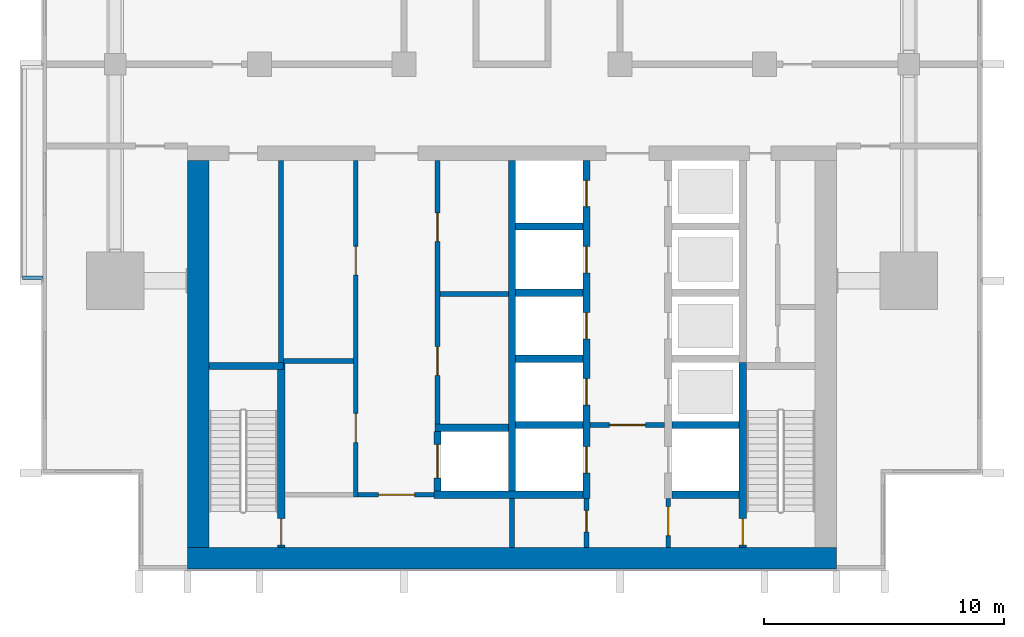
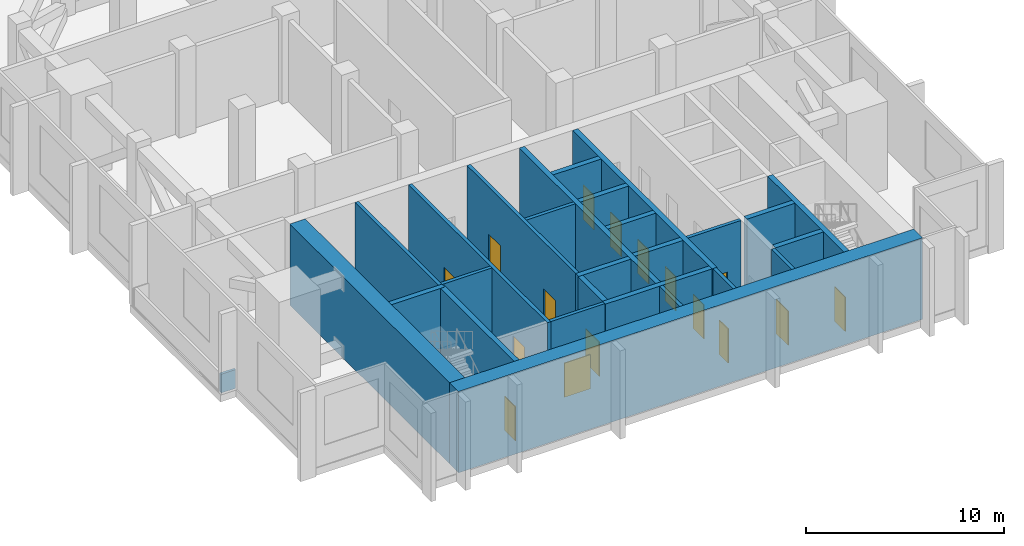
# One storey, part 2 of 11: 27 walls, 16 doors, 16 openings.
"""IFC4 building model written with IfcOpenShell, lengths in metres."""

from ifc_helpers import new_model, si_unit, direction, frame, frame_2d, origin, place, context, subcontext, project, spatial, rectangle, extrude, material, layer, layer_set, type_object, element, fill, save


model = new_model("IFC4")

# Units and contexts
model_context = context("Model", 3, precision=1e-05, world=origin(), true_north=direction((0.0, 1.0)))
body_context = subcontext(model_context, "Body", "Model", "MODEL_VIEW")
ifc_project = project(units=[si_unit("LENGTHUNIT", "METRE"), si_unit("AREAUNIT", "SQUARE_METRE"), si_unit("VOLUMEUNIT", "CUBIC_METRE"), si_unit("PLANEANGLEUNIT", "RADIAN"), si_unit("MASSUNIT", "GRAM", prefix="KILO")], contexts=[model_context])

# Site, building, storey
site_placement = place(None, origin())
site = spatial("IfcSite", under=ifc_project, at=site_placement, CompositionType="ELEMENT")
building_placement = place(site_placement, origin())
building = spatial("IfcBuilding", under=site, at=building_placement, Name="Finial Court Residences", CompositionType="ELEMENT")
storey_placement = place(building_placement, frame((0.0, 0.0, 199.699951171875)))
storey = spatial("IfcBuildingStorey", under=building, at=storey_placement, Name="L50", CompositionType="ELEMENT", Elevation=199.699951171875)

# Walls
ifc_material_1 = material(Name="Concrete C70/85", Category="concrete")
ifc_layer_1 = layer(ifc_material_1, 0.89990234375)
ifc_layer_set_1 = layer_set([ifc_layer_1], Name="Core outer wall 900 Concrete C70/85")
wall_type_1 = type_object("IfcWallType", Name="Core outer wall 900 Concrete C70/85", PredefinedType="SHEAR", material=ifc_layer_set_1)
wall_1_placement = place(storey_placement, frame((-13.050048828125, -24.60009765625, 0.0), z_axis=(0.0, 0.0, 1.0), x_axis=(0.0, 1.0, 0.0)))
element("IfcWall", 1, at=wall_1_placement, inside=storey, type_object=wall_type_1, Name="Core outer wall L50-03", PredefinedType="SHEAR", context=body_context, shape_type="SweptSolid", body=[
    extrude(rectangle(XDim=16.10009765625, YDim=0.89990234375, at=frame_2d((8.050048828125, 0.0))), origin(), (0.0, 0.0, 1.0), 5.0),
])
ifc_layer_2 = layer(ifc_material_1, 0.89990234375)
ifc_layer_set_2 = layer_set([ifc_layer_2], Name="Core south facade wall 900 Concrete C70/85")
wall_type_2 = type_object("IfcWallType", Name="Core south facade wall 900 Concrete C70/85", PredefinedType="SHEAR", material=ifc_layer_set_2)
wall_2_placement = place(storey_placement, frame((-13.5, -25.050048828125, 0.0), z_axis=(0.0, 0.0, 1.0), x_axis=(1.0, 0.0, 0.0)))
element("IfcWall", 2, at=wall_2_placement, inside=storey, type_object=wall_type_2, Name="Core outer wall L50-01", PredefinedType="SHEAR", context=body_context, shape_type="SweptSolid", body=[
    extrude(rectangle(XDim=27.0, YDim=0.89990234375, at=frame_2d((13.5, 0.0))), origin(), (0.0, 0.0, 1.0), 5.0),
])

# Wall, opening, door
ifc_material_2 = material(Name="Fire-rated gypsum board partition")
ifc_layer_3 = layer(ifc_material_2, 0.199951171875)
ifc_layer_set_3 = layer_set([ifc_layer_3], Name="Firefighting lobby wall 200 EI 120")
wall_type_3 = type_object("IfcWallType", Name="Firefighting lobby wall 200 EI 120", PredefinedType="PARTITIONING", material=ifc_layer_set_3)
wall_3_placement = place(storey_placement, frame((6.35009765625, -19.5, 0.0), z_axis=(0.0, 0.0, 1.0), x_axis=(-1.0, 0.0, 0.0)))
wall_3 = element("IfcWall", 3, at=wall_3_placement, inside=storey, type_object=wall_type_3, Name="Core partition L50-07", PredefinedType="PARTITIONING", context=body_context, shape_type="SweptSolid", body=[
    extrude(rectangle(XDim=3.10009765625, YDim=0.199951171875, at=frame_2d((1.550048828125, 0.0))), origin(), (0.0, 0.0, 1.0), 5.0),
])
opening_1_placement = place(wall_3_placement, frame((0.800048828125, 0.0, 0.0)))
opening_1 = element("IfcOpeningElement", 4, at=opening_1_placement, cuts=wall_3, Name="Opening L50-C02", PredefinedType="OPENING", context=body_context, shape_type="SweptSolid", body=[
    extrude(rectangle(XDim=1.5, YDim=2.10009765625, at=frame_2d((0.75, 1.050048828125))), frame((0.0, 0.10986328125, 0.0), z_axis=(0.0, -1.0, 0.0), x_axis=(1.0, 0.0, 0.0)), (0.0, 0.0, 1.0), 0.219970703125),
])
ifc_material_3 = material(Name="Steel fire door", Category="steel")
door_type_1 = type_object("IfcDoorType", Name="Firefighting lobby door 1500 x 2100 EI 90", OperationType="DOUBLE_DOOR_SINGLE_SWING", PredefinedType="DOOR", material=ifc_material_3)
door_1_placement = place(opening_1_placement, origin())
door_1 = element("IfcDoor", 5, at=door_1_placement, inside=storey, type_object=door_type_1, Name="Firefighting lobby door L50-C02", OperationType="DOUBLE_DOOR_SINGLE_SWING", OverallHeight=2.10009765625, OverallWidth=1.5, PredefinedType="DOOR", context=body_context, shape_type="SweptSolid", body=[
    extrude(rectangle(XDim=1.5, YDim=2.10009765625, at=frame_2d((0.75, 1.050048828125))), frame((0.0, 0.02490234375, 0.0), z_axis=(0.0, -1.0, 0.0), x_axis=(1.0, 0.0, 0.0)), (0.0, 0.0, 1.0), 0.050048828125),
])
fill(opening_1, door_1)

wall_4_placement = place(storey_placement, frame((3.10009765625, -24.60009765625, 0.0), z_axis=(0.0, 0.0, 1.0), x_axis=(0.0, 1.0, 0.0)))
wall_4 = element("IfcWall", 6, at=wall_4_placement, inside=storey, type_object=wall_type_3, Name="Core partition L50-27", PredefinedType="PARTITIONING", context=body_context, shape_type="SweptSolid", body=[
    extrude(rectangle(XDim=2.050048828125, YDim=0.199951171875, at=frame_2d((1.02490234375, 0.0))), origin(), (0.0, 0.0, 1.0), 5.0),
])
opening_2_placement = place(wall_4_placement, frame((0.64990234375, 0.0, 0.0)))
opening_2 = element("IfcOpeningElement", 7, at=opening_2_placement, cuts=wall_4, Name="Opening L50-C06", PredefinedType="OPENING", context=body_context, shape_type="SweptSolid", body=[
    extrude(rectangle(XDim=0.89990234375, YDim=2.10009765625, at=frame_2d((0.449951171875, 1.050048828125))), frame((0.0, 0.10986328125, 0.0), z_axis=(0.0, -1.0, 0.0), x_axis=(1.0, 0.0, 0.0)), (0.0, 0.0, 1.0), 0.219970703125),
])
door_type_2 = type_object("IfcDoorType", Name="Riser room door 900 x 2100 EI 90", OperationType="NOTDEFINED", PredefinedType="DOOR", material=ifc_material_3)
door_2_placement = place(opening_2_placement, origin())
door_2 = element("IfcDoor", 8, at=door_2_placement, inside=storey, type_object=door_type_2, Name="Riser room door L50-C06", OperationType="SINGLE_SWING_LEFT", OverallHeight=2.10009765625, OverallWidth=0.89990234375, PredefinedType="DOOR", context=body_context, shape_type="SweptSolid", body=[
    extrude(rectangle(XDim=0.89990234375, YDim=2.10009765625, at=frame_2d((0.449951171875, 1.050048828125))), frame((0.0, 0.02490234375, 0.0), z_axis=(0.0, -1.0, 0.0), x_axis=(1.0, 0.0, 0.0)), (0.0, 0.0, 1.0), 0.050048828125),
])
fill(opening_2, door_2)

wall_5_placement = place(storey_placement, frame((6.5, -22.550048828125, 0.0), z_axis=(0.0, 0.0, 1.0), x_axis=(0.0, -1.0, 0.0)))
wall_5 = element("IfcWall", 9, at=wall_5_placement, inside=storey, type_object=wall_type_3, Name="Core partition L50-29", PredefinedType="PARTITIONING", context=body_context, shape_type="SweptSolid", body=[
    extrude(rectangle(XDim=2.050048828125, YDim=0.199951171875, at=frame_2d((1.02490234375, 0.0))), origin(), (0.0, 0.0, 1.0), 5.0),
])
opening_3_placement = place(wall_5_placement, frame((0.35009765625, 0.0, 0.0)))
opening_3 = element("IfcOpeningElement", 10, at=opening_3_placement, cuts=wall_5, Name="Opening L50-C01", PredefinedType="OPENING", context=body_context, shape_type="SweptSolid", body=[
    extrude(rectangle(XDim=1.199951171875, YDim=2.10009765625, at=frame_2d((0.60009765625, 1.050048828125))), frame((0.0, 0.10986328125, 0.0), z_axis=(0.0, -1.0, 0.0), x_axis=(1.0, 0.0, 0.0)), (0.0, 0.0, 1.0), 0.219970703125),
])
door_type_3 = type_object("IfcDoorType", Name="Firefighting lobby door 1200 x 2100 EI 90", OperationType="NOTDEFINED", PredefinedType="DOOR", material=ifc_material_3)
door_3_placement = place(opening_3_placement, origin())
door_3 = element("IfcDoor", 11, at=door_3_placement, inside=storey, type_object=door_type_3, Name="Firefighting lobby door L50-C01", OperationType="SINGLE_SWING_RIGHT", OverallHeight=2.10009765625, OverallWidth=1.199951171875, PredefinedType="DOOR", context=body_context, shape_type="SweptSolid", body=[
    extrude(rectangle(XDim=1.199951171875, YDim=2.10009765625, at=frame_2d((0.60009765625, 1.050048828125))), frame((0.0, 0.02490234375, 0.0), z_axis=(0.0, -1.0, 0.0), x_axis=(1.0, 0.0, 0.0)), (0.0, 0.0, 1.0), 0.050048828125),
])
fill(opening_3, door_3)

# Walls
ifc_material_4 = material(Name="Concrete C35/45", Category="concrete")
ifc_layer_4 = layer(ifc_material_4, 0.14990234375)
ifc_layer_set_4 = layer_set([ifc_layer_4], Name="Ledge parapet, Concrete C35/45 150")
wall_type_4 = type_object("IfcWallType", Name="Ledge parapet, Concrete C35/45 150", PredefinedType="PARAPET", material=ifc_layer_set_4)
wall_6_placement = place(storey_placement, frame((-19.510009765625, -13.375, 0.0), z_axis=(0.0, 0.0, 1.0), x_axis=(-1.0, 0.0, 0.0)))
element("IfcWall", 12, at=wall_6_placement, inside=storey, type_object=wall_type_4, Name="E-L50-LED3-P2", PredefinedType="PARAPET", context=body_context, shape_type="SweptSolid", body=[
    extrude(rectangle(XDim=0.840087890625, YDim=0.14990234375, at=frame_2d((0.419921875, 0.0))), origin(), (0.0, 0.0, 1.0), 1.150146484375),
])
ifc_layer_5 = layer(ifc_material_1, 0.300048828125)
ifc_layer_set_5 = layer_set([ifc_layer_5], Name="Lift shaft and stair wall 300 Concrete C70/85")
wall_type_5 = type_object("IfcWallType", Name="Lift shaft and stair wall 300 Concrete C70/85", PredefinedType="SHEAR", material=ifc_layer_set_5)
wall_7_placement = place(storey_placement, frame((-3.25, -22.39990234375, 0.0), z_axis=(0.0, 0.0, 1.0), x_axis=(1.0, 0.0, 0.0)))
element("IfcWall", 13, at=wall_7_placement, inside=storey, type_object=wall_type_5, Name="Core wall L50-03", PredefinedType="SHEAR", context=body_context, shape_type="SweptSolid", body=[
    extrude(rectangle(XDim=6.199951171875, YDim=0.300048828125, at=frame_2d((3.10009765625, 0.0))), origin(), (0.0, 0.0, 1.0), 5.0),
])
wall_8_placement = place(storey_placement, frame((6.64990234375, -22.39990234375, 0.0), z_axis=(0.0, 0.0, 1.0), x_axis=(1.0, 0.0, 0.0)))
element("IfcWall", 14, at=wall_8_placement, inside=storey, type_object=wall_type_5, Name="Core wall L50-04", PredefinedType="SHEAR", context=body_context, shape_type="SweptSolid", body=[
    extrude(rectangle(XDim=2.800048828125, YDim=0.300048828125, at=frame_2d((1.39990234375, 0.0))), origin(), (0.0, 0.0, 1.0), 5.0),
])
wall_9_placement = place(storey_placement, frame((-3.199951171875, -19.6201171875, 0.0), z_axis=(0.0, 0.0, 1.0), x_axis=(1.0, 0.0, 0.0)))
element("IfcWall", 15, at=wall_9_placement, inside=storey, type_object=wall_type_5, Name="Core wall L50-05", PredefinedType="SHEAR", context=body_context, shape_type="SweptSolid", body=[
    extrude(rectangle(XDim=3.050048828125, YDim=0.300048828125, at=frame_2d((1.52490234375, 0.0))), origin(), (0.0, 0.0, 1.0), 5.0),
])
for number, where, z_axis, x_axis, name in (
    (16, (0.14990234375, -19.5, 0.0), (0.0, 0.0, 1.0), (1.0, 0.0, 0.0), "Core wall L50-06"),
    (17, (6.64990234375, -19.5, 0.0), (0.0, 0.0, 1.0), (1.0, 0.0, 0.0), "Core wall L50-08"),
):
    element("IfcWall", number, at=place(storey_placement, frame(where, z_axis=z_axis, x_axis=x_axis)), inside=storey, type_object=wall_type_5, Name=name, PredefinedType="SHEAR", context=body_context, shape_type="SweptSolid", body=[
        extrude(rectangle(XDim=2.800048828125, YDim=0.300048828125, at=frame_2d((1.39990234375, 0.0))), origin(), (0.0, 0.0, 1.0), 5.0),
    ])
wall_10_placement = place(storey_placement, frame((-12.60009765625, -17.050048828125, 0.0), z_axis=(0.0, 0.0, 1.0), x_axis=(1.0, 0.0, 0.0)))
element("IfcWall", 18, at=wall_10_placement, inside=storey, type_object=wall_type_5, Name="Core wall L50-09", PredefinedType="SHEAR", context=body_context, shape_type="SweptSolid", body=[
    extrude(rectangle(XDim=3.10009765625, YDim=0.300048828125, at=frame_2d((1.550048828125, 0.0))), origin(), (0.0, 0.0, 1.0), 5.0),
])
for number, where, z_axis, x_axis, name in (
    (19, (0.14990234375, -16.75, 0.0), (0.0, 0.0, 1.0), (1.0, 0.0, 0.0), "Core wall L50-12"),
    (20, (0.14990234375, -14.0, 0.0), (0.0, 0.0, 1.0), (1.0, 0.0, 0.0), "Core wall L50-16"),
    (21, (0.14990234375, -11.25, 0.0), (0.0, 0.0, 1.0), (1.0, 0.0, 0.0), "Core wall L50-18"),
):
    element("IfcWall", number, at=place(storey_placement, frame(where, z_axis=z_axis, x_axis=x_axis)), inside=storey, type_object=wall_type_5, Name=name, PredefinedType="SHEAR", context=body_context, shape_type="SweptSolid", body=[
        extrude(rectangle(XDim=2.800048828125, YDim=0.300048828125, at=frame_2d((1.39990234375, 0.0))), origin(), (0.0, 0.0, 1.0), 5.0),
    ])

# Wall, opening, door
wall_11_placement = place(storey_placement, frame((-9.60009765625, -24.60009765625, 0.0), z_axis=(0.0, 0.0, 1.0), x_axis=(0.0, 1.0, 0.0)))
wall_11 = element("IfcWall", 22, at=wall_11_placement, inside=storey, type_object=wall_type_5, Name="Core wall L50-20", PredefinedType="SHEAR", context=body_context, shape_type="SweptSolid", body=[
    extrude(rectangle(XDim=7.7001953125, YDim=0.300048828125, at=frame_2d((3.85009765625, 0.0))), origin(), (0.0, 0.0, 1.0), 5.0),
])
opening_4_placement = place(wall_11_placement, frame((0.10009765625, 0.0, 0.0)))
opening_4 = element("IfcOpeningElement", 23, at=opening_4_placement, cuts=wall_11, Name="Opening L50-C15", PredefinedType="OPENING", context=body_context, shape_type="SweptSolid", body=[
    extrude(rectangle(XDim=1.10009765625, YDim=2.10009765625, at=frame_2d((0.550048828125, 1.050048828125))), frame((0.0, 0.159912109375, 0.0), z_axis=(0.0, -1.0, 0.0), x_axis=(1.0, 0.0, 0.0)), (0.0, 0.0, 1.0), 0.320068359375),
])
door_type_4 = type_object("IfcDoorType", Name="Stair door 1100 x 2100 EI 90", OperationType="NOTDEFINED", PredefinedType="DOOR", material=ifc_material_3)
door_4_placement = place(opening_4_placement, origin())
door_4 = element("IfcDoor", 24, at=door_4_placement, inside=storey, type_object=door_type_4, Name="Stair door L50-C15", OperationType="SINGLE_SWING_LEFT", OverallHeight=2.10009765625, OverallWidth=1.10009765625, PredefinedType="DOOR", context=body_context, shape_type="SweptSolid", body=[
    extrude(rectangle(XDim=1.10009765625, YDim=2.10009765625, at=frame_2d((0.550048828125, 1.050048828125))), frame((0.0, 0.02490234375, 0.0), z_axis=(0.0, -1.0, 0.0), x_axis=(1.0, 0.0, 0.0)), (0.0, 0.0, 1.0), 0.050048828125),
])
fill(opening_4, door_4)

wall_12_placement = place(storey_placement, frame((-3.10009765625, -22.25, 0.0), z_axis=(0.0, 0.0, 1.0), x_axis=(0.0, 1.0, 0.0)))
wall_12 = element("IfcWall", 25, at=wall_12_placement, inside=storey, type_object=wall_type_5, Name="Core wall L50-23", PredefinedType="SHEAR", context=body_context, shape_type="SweptSolid", body=[
    extrude(rectangle(XDim=2.47998046875, YDim=0.300048828125, at=frame_2d((1.239990234375, 0.0))), origin(), (0.0, 0.0, 1.0), 5.0),
])
opening_5_placement = place(wall_12_placement, frame((0.5400390625, 0.0, 0.0)))
opening_5 = element("IfcOpeningElement", 26, at=opening_5_placement, cuts=wall_12, Name="Opening L50-LD11", PredefinedType="OPENING", context=body_context, shape_type="SweptSolid", body=[
    extrude(rectangle(XDim=1.39990234375, YDim=2.10009765625, at=frame_2d((0.699951171875, 1.050048828125))), frame((0.0, 0.159912109375, 0.0), z_axis=(0.0, -1.0, 0.0), x_axis=(1.0, 0.0, 0.0)), (0.0, 0.0, 1.0), 0.320068359375),
])
ifc_material_5 = material(Name="Stainless steel lift door", Category="steel")
door_type_5 = type_object("IfcDoorType", Name="Lift landing door 1400 x 2100 EI 90", OperationType="DOUBLE_DOOR_SLIDING", PredefinedType="DOOR", material=ifc_material_5)
door_5_placement = place(opening_5_placement, origin())
door_5 = element("IfcDoor", 27, at=door_5_placement, inside=storey, type_object=door_type_5, Name="Lift landing door SV1 L50", OperationType="DOUBLE_DOOR_SLIDING", OverallHeight=2.10009765625, OverallWidth=1.39990234375, PredefinedType="DOOR", context=body_context, shape_type="SweptSolid", body=[
    extrude(rectangle(XDim=1.39990234375, YDim=2.10009765625, at=frame_2d((0.699951171875, 1.050048828125))), frame((0.0, 0.02490234375, 0.0), z_axis=(0.0, -1.0, 0.0), x_axis=(1.0, 0.0, 0.0)), (0.0, 0.0, 1.0), 0.050048828125),
])
fill(opening_5, door_5)

# Wall
wall_13_placement = place(storey_placement, frame((0.0, -22.25, 0.0), z_axis=(0.0, 0.0, 1.0), x_axis=(0.0, 1.0, 0.0)))
element("IfcWall", 28, at=wall_13_placement, inside=storey, type_object=wall_type_5, Name="Core wall L50-26", PredefinedType="SHEAR", context=body_context, shape_type="SweptSolid", body=[
    extrude(rectangle(XDim=13.75, YDim=0.300048828125, at=frame_2d((6.875, 0.0))), origin(), (0.0, 0.0, 1.0), 5.0),
])

# Wall, openings, doors
wall_14_placement = place(storey_placement, frame((3.10009765625, -22.550048828125, 0.0), z_axis=(0.0, 0.0, 1.0), x_axis=(0.0, 1.0, 0.0)))
wall_14 = element("IfcWall", 29, at=wall_14_placement, inside=storey, type_object=wall_type_5, Name="Core wall L50-28", PredefinedType="SHEAR", context=body_context, shape_type="SweptSolid", body=[
    extrude(rectangle(XDim=14.050048828125, YDim=0.300048828125, at=frame_2d((7.02490234375, 0.0))), origin(), (0.0, 0.0, 1.0), 5.0),
])
opening_6_placement = place(wall_14_placement, frame((1.050048828125, 0.0, 0.0)))
opening_6 = element("IfcOpeningElement", 30, at=opening_6_placement, cuts=wall_14, Name="Opening L50-LD01", PredefinedType="OPENING", context=body_context, shape_type="SweptSolid", body=[
    extrude(rectangle(XDim=1.10009765625, YDim=2.10009765625, at=frame_2d((0.550048828125, 1.050048828125))), frame((0.0, 0.159912109375, 0.0), z_axis=(0.0, -1.0, 0.0), x_axis=(1.0, 0.0, 0.0)), (0.0, 0.0, 1.0), 0.320068359375),
])
opening_7_placement = place(wall_14_placement, frame((3.875, 0.0, 0.0)))
opening_7 = element("IfcOpeningElement", 31, at=opening_7_placement, cuts=wall_14, Name="Opening L50-LD03", PredefinedType="OPENING", context=body_context, shape_type="SweptSolid", body=[
    extrude(rectangle(XDim=1.10009765625, YDim=2.10009765625, at=frame_2d((0.550048828125, 1.050048828125))), frame((0.0, 0.159912109375, 0.0), z_axis=(0.0, -1.0, 0.0), x_axis=(1.0, 0.0, 0.0)), (0.0, 0.0, 1.0), 0.320068359375),
])
opening_8_placement = place(wall_14_placement, frame((6.625, 0.0, 0.0)))
opening_8 = element("IfcOpeningElement", 32, at=opening_8_placement, cuts=wall_14, Name="Opening L50-LD04", PredefinedType="OPENING", context=body_context, shape_type="SweptSolid", body=[
    extrude(rectangle(XDim=1.10009765625, YDim=2.10009765625, at=frame_2d((0.550048828125, 1.050048828125))), frame((0.0, 0.159912109375, 0.0), z_axis=(0.0, -1.0, 0.0), x_axis=(1.0, 0.0, 0.0)), (0.0, 0.0, 1.0), 0.320068359375),
])
opening_9_placement = place(wall_14_placement, frame((9.375, 0.0, 0.0)))
opening_9 = element("IfcOpeningElement", 33, at=opening_9_placement, cuts=wall_14, Name="Opening L50-LD05", PredefinedType="OPENING", context=body_context, shape_type="SweptSolid", body=[
    extrude(rectangle(XDim=1.10009765625, YDim=2.10009765625, at=frame_2d((0.550048828125, 1.050048828125))), frame((0.0, 0.159912109375, 0.0), z_axis=(0.0, -1.0, 0.0), x_axis=(1.0, 0.0, 0.0)), (0.0, 0.0, 1.0), 0.320068359375),
])
opening_10_placement = place(wall_14_placement, frame((12.125, 0.0, 0.0)))
opening_10 = element("IfcOpeningElement", 34, at=opening_10_placement, cuts=wall_14, Name="Opening L50-LD06", PredefinedType="OPENING", context=body_context, shape_type="SweptSolid", body=[
    extrude(rectangle(XDim=1.10009765625, YDim=2.10009765625, at=frame_2d((0.550048828125, 1.050048828125))), frame((0.0, 0.159912109375, 0.0), z_axis=(0.0, -1.0, 0.0), x_axis=(1.0, 0.0, 0.0)), (0.0, 0.0, 1.0), 0.320068359375),
])
door_type_6 = type_object("IfcDoorType", Name="Lift landing door 1100 x 2100 EI 90", OperationType="DOUBLE_DOOR_SLIDING", PredefinedType="DOOR", material=ifc_material_5)
door_6_placement = place(opening_6_placement, origin())
door_6 = element("IfcDoor", 35, at=door_6_placement, inside=storey, type_object=door_type_6, Name="Lift landing door FF1 L50", OperationType="DOUBLE_DOOR_SLIDING", OverallHeight=2.10009765625, OverallWidth=1.10009765625, PredefinedType="DOOR", context=body_context, shape_type="SweptSolid", body=[
    extrude(rectangle(XDim=1.10009765625, YDim=2.10009765625, at=frame_2d((0.550048828125, 1.050048828125))), frame((0.0, 0.02490234375, 0.0), z_axis=(0.0, -1.0, 0.0), x_axis=(1.0, 0.0, 0.0)), (0.0, 0.0, 1.0), 0.050048828125),
])
fill(opening_6, door_6)
door_7_placement = place(opening_7_placement, origin())
door_7 = element("IfcDoor", 36, at=door_7_placement, inside=storey, type_object=door_type_6, Name="Lift landing door HR1 L50", OperationType="DOUBLE_DOOR_SLIDING", OverallHeight=2.10009765625, OverallWidth=1.10009765625, PredefinedType="DOOR", context=body_context, shape_type="SweptSolid", body=[
    extrude(rectangle(XDim=1.10009765625, YDim=2.10009765625, at=frame_2d((0.550048828125, 1.050048828125))), frame((0.0, 0.02490234375, 0.0), z_axis=(0.0, -1.0, 0.0), x_axis=(1.0, 0.0, 0.0)), (0.0, 0.0, 1.0), 0.050048828125),
])
fill(opening_7, door_7)
door_8_placement = place(opening_8_placement, origin())
door_8 = element("IfcDoor", 37, at=door_8_placement, inside=storey, type_object=door_type_6, Name="Lift landing door HR2 L50", OperationType="DOUBLE_DOOR_SLIDING", OverallHeight=2.10009765625, OverallWidth=1.10009765625, PredefinedType="DOOR", context=body_context, shape_type="SweptSolid", body=[
    extrude(rectangle(XDim=1.10009765625, YDim=2.10009765625, at=frame_2d((0.550048828125, 1.050048828125))), frame((0.0, 0.02490234375, 0.0), z_axis=(0.0, -1.0, 0.0), x_axis=(1.0, 0.0, 0.0)), (0.0, 0.0, 1.0), 0.050048828125),
])
fill(opening_8, door_8)
door_9_placement = place(opening_9_placement, origin())
door_9 = element("IfcDoor", 38, at=door_9_placement, inside=storey, type_object=door_type_6, Name="Lift landing door HR3 L50", OperationType="DOUBLE_DOOR_SLIDING", OverallHeight=2.10009765625, OverallWidth=1.10009765625, PredefinedType="DOOR", context=body_context, shape_type="SweptSolid", body=[
    extrude(rectangle(XDim=1.10009765625, YDim=2.10009765625, at=frame_2d((0.550048828125, 1.050048828125))), frame((0.0, 0.02490234375, 0.0), z_axis=(0.0, -1.0, 0.0), x_axis=(1.0, 0.0, 0.0)), (0.0, 0.0, 1.0), 0.050048828125),
])
fill(opening_9, door_9)
door_10_placement = place(opening_10_placement, origin())
door_10 = element("IfcDoor", 39, at=door_10_placement, inside=storey, type_object=door_type_6, Name="Lift landing door HR4 L50", OperationType="DOUBLE_DOOR_SLIDING", OverallHeight=2.10009765625, OverallWidth=1.10009765625, PredefinedType="DOOR", context=body_context, shape_type="SweptSolid", body=[
    extrude(rectangle(XDim=1.10009765625, YDim=2.10009765625, at=frame_2d((0.550048828125, 1.050048828125))), frame((0.0, 0.02490234375, 0.0), z_axis=(0.0, -1.0, 0.0), x_axis=(1.0, 0.0, 0.0)), (0.0, 0.0, 1.0), 0.050048828125),
])
fill(opening_10, door_10)

# Wall, opening, door
wall_15_placement = place(storey_placement, frame((9.60009765625, -16.89990234375, 0.0), z_axis=(0.0, 0.0, 1.0), x_axis=(0.0, -1.0, 0.0)))
wall_15 = element("IfcWall", 40, at=wall_15_placement, inside=storey, type_object=wall_type_5, Name="Core wall L50-31", PredefinedType="SHEAR", context=body_context, shape_type="SweptSolid", body=[
    extrude(rectangle(XDim=7.7001953125, YDim=0.300048828125, at=frame_2d((3.85009765625, 0.0))), origin(), (0.0, 0.0, 1.0), 5.0),
])
opening_11_placement = place(wall_15_placement, frame((6.5, 0.0, 0.0)))
opening_11 = element("IfcOpeningElement", 41, at=opening_11_placement, cuts=wall_15, Name="Opening L50-C16", PredefinedType="OPENING", context=body_context, shape_type="SweptSolid", body=[
    extrude(rectangle(XDim=1.10009765625, YDim=2.10009765625, at=frame_2d((0.550048828125, 1.050048828125))), frame((0.0, 0.159912109375, 0.0), z_axis=(0.0, -1.0, 0.0), x_axis=(1.0, 0.0, 0.0)), (0.0, 0.0, 1.0), 0.320068359375),
])
door_11_placement = place(opening_11_placement, origin())
door_11 = element("IfcDoor", 42, at=door_11_placement, inside=storey, type_object=door_type_4, Name="Stair door L50-C16", OperationType="SINGLE_SWING_RIGHT", OverallHeight=2.10009765625, OverallWidth=1.10009765625, PredefinedType="DOOR", context=body_context, shape_type="SweptSolid", body=[
    extrude(rectangle(XDim=1.10009765625, YDim=2.10009765625, at=frame_2d((0.550048828125, 1.050048828125))), frame((0.0, 0.02490234375, 0.0), z_axis=(0.0, -1.0, 0.0), x_axis=(1.0, 0.0, 0.0)), (0.0, 0.0, 1.0), 0.050048828125),
])
fill(opening_11, door_11)

ifc_layer_6 = layer(ifc_material_2, 0.199951171875)
ifc_layer_set_6 = layer_set([ifc_layer_6], Name="Refuge area wall 200 EI 120")
wall_type_6 = type_object("IfcWallType", Name="Refuge area wall 200 EI 120", PredefinedType="PARTITIONING", material=ifc_layer_set_6)
wall_16_placement = place(storey_placement, frame((-3.25, -22.39990234375, 0.0), z_axis=(0.0, 0.0, 1.0), x_axis=(-1.0, 0.0, 0.0)))
wall_16 = element("IfcWall", 43, at=wall_16_placement, inside=storey, type_object=wall_type_6, Name="Core partition L50-02", PredefinedType="PARTITIONING", context=body_context, shape_type="SweptSolid", body=[
    extrude(rectangle(XDim=3.14990234375, YDim=0.199951171875, at=frame_2d((1.574951171875, 0.0))), origin(), (0.0, 0.0, 1.0), 5.0),
])
opening_12_placement = place(wall_16_placement, frame((0.800048828125, 0.0, 0.0)))
opening_12 = element("IfcOpeningElement", 44, at=opening_12_placement, cuts=wall_16, Name="Opening L50-C03", PredefinedType="OPENING", context=body_context, shape_type="SweptSolid", body=[
    extrude(rectangle(XDim=1.5, YDim=2.10009765625, at=frame_2d((0.75, 1.050048828125))), frame((0.0, 0.10986328125, 0.0), z_axis=(0.0, -1.0, 0.0), x_axis=(1.0, 0.0, 0.0)), (0.0, 0.0, 1.0), 0.219970703125),
])
door_type_7 = type_object("IfcDoorType", Name="Lift lobby door 1500 x 2100 EI 60", OperationType="DOUBLE_DOOR_SINGLE_SWING", PredefinedType="DOOR", material=ifc_material_3)
door_12_placement = place(opening_12_placement, origin())
door_12 = element("IfcDoor", 45, at=door_12_placement, inside=storey, type_object=door_type_7, Name="Lift lobby door L50-C03", OperationType="DOUBLE_DOOR_SINGLE_SWING", OverallHeight=2.10009765625, OverallWidth=1.5, PredefinedType="DOOR", context=body_context, shape_type="SweptSolid", body=[
    extrude(rectangle(XDim=1.5, YDim=2.10009765625, at=frame_2d((0.75, 1.050048828125))), frame((0.0, 0.02490234375, 0.0), z_axis=(0.0, -1.0, 0.0), x_axis=(1.0, 0.0, 0.0)), (0.0, 0.0, 1.0), 0.050048828125),
])
fill(opening_12, door_12)

# Wall, openings, doors
wall_17_placement = place(storey_placement, frame((-6.5, -22.5, 0.0), z_axis=(0.0, 0.0, 1.0), x_axis=(0.0, 1.0, 0.0)))
wall_17 = element("IfcWall", 46, at=wall_17_placement, inside=storey, type_object=wall_type_6, Name="Core partition L50-22", PredefinedType="PARTITIONING", context=body_context, shape_type="SweptSolid", body=[
    extrude(rectangle(XDim=14.0, YDim=0.199951171875, at=frame_2d((7.0, 0.0))), origin(), (0.0, 0.0, 1.0), 5.0),
])
opening_13_placement = place(wall_17_placement, frame((2.280029296875, 0.0, 0.0)))
opening_13 = element("IfcOpeningElement", 47, at=opening_13_placement, cuts=wall_17, Name="Opening L50-C08", PredefinedType="OPENING", context=body_context, shape_type="SweptSolid", body=[
    extrude(rectangle(XDim=1.199951171875, YDim=2.10009765625, at=frame_2d((0.60009765625, 1.050048828125))), frame((0.0, 0.10986328125, 0.0), z_axis=(0.0, -1.0, 0.0), x_axis=(1.0, 0.0, 0.0)), (0.0, 0.0, 1.0), 0.219970703125),
])
opening_14_placement = place(wall_17_placement, frame((9.22998046875, 0.0, 0.0)))
opening_14 = element("IfcOpeningElement", 48, at=opening_14_placement, cuts=wall_17, Name="Opening L50-C09", PredefinedType="OPENING", context=body_context, shape_type="SweptSolid", body=[
    extrude(rectangle(XDim=1.199951171875, YDim=2.10009765625, at=frame_2d((0.60009765625, 1.050048828125))), frame((0.0, 0.10986328125, 0.0), z_axis=(0.0, -1.0, 0.0), x_axis=(1.0, 0.0, 0.0)), (0.0, 0.0, 1.0), 0.219970703125),
])
door_type_8 = type_object("IfcDoorType", Name="Riser room door 1200 x 2100 EI 90", OperationType="NOTDEFINED", PredefinedType="DOOR", material=ifc_material_3)
door_13_placement = place(opening_13_placement, origin())
door_13 = element("IfcDoor", 49, at=door_13_placement, inside=storey, type_object=door_type_8, Name="Riser room door L50-C08", OperationType="SINGLE_SWING_LEFT", OverallHeight=2.10009765625, OverallWidth=1.199951171875, PredefinedType="DOOR", context=body_context, shape_type="SweptSolid", body=[
    extrude(rectangle(XDim=1.199951171875, YDim=2.10009765625, at=frame_2d((0.60009765625, 1.050048828125))), frame((0.0, 0.02490234375, 0.0), z_axis=(0.0, -1.0, 0.0), x_axis=(1.0, 0.0, 0.0)), (0.0, 0.0, 1.0), 0.050048828125),
])
fill(opening_13, door_13)
door_14_placement = place(opening_14_placement, origin())
door_14 = element("IfcDoor", 50, at=door_14_placement, inside=storey, type_object=door_type_8, Name="Riser room door L50-C09", OperationType="SINGLE_SWING_LEFT", OverallHeight=2.10009765625, OverallWidth=1.199951171875, PredefinedType="DOOR", context=body_context, shape_type="SweptSolid", body=[
    extrude(rectangle(XDim=1.199951171875, YDim=2.10009765625, at=frame_2d((0.60009765625, 1.050048828125))), frame((0.0, 0.02490234375, 0.0), z_axis=(0.0, -1.0, 0.0), x_axis=(1.0, 0.0, 0.0)), (0.0, 0.0, 1.0), 0.050048828125),
])
fill(opening_14, door_14)

wall_18_placement = place(storey_placement, frame((-3.10009765625, -8.5, 0.0), z_axis=(0.0, 0.0, 1.0), x_axis=(0.0, -1.0, 0.0)))
wall_18 = element("IfcWall", 51, at=wall_18_placement, inside=storey, type_object=wall_type_6, Name="Core partition L50-24", PredefinedType="PARTITIONING", context=body_context, shape_type="SweptSolid", body=[
    extrude(rectangle(XDim=10.969970703125, YDim=0.199951171875, at=frame_2d((5.48486328125, 0.0))), origin(), (0.0, 0.0, 1.0), 5.0),
])
opening_15_placement = place(wall_18_placement, frame((7.739990234375, 0.0, 0.0)))
opening_15 = element("IfcOpeningElement", 52, at=opening_15_placement, cuts=wall_18, Name="Opening L50-C10", PredefinedType="OPENING", context=body_context, shape_type="SweptSolid", body=[
    extrude(rectangle(XDim=1.199951171875, YDim=2.10009765625, at=frame_2d((0.60009765625, 1.050048828125))), frame((0.0, 0.10986328125, 0.0), z_axis=(0.0, -1.0, 0.0), x_axis=(1.0, 0.0, 0.0)), (0.0, 0.0, 1.0), 0.219970703125),
])
opening_16_placement = place(wall_18_placement, frame((2.179931640625, 0.0, 0.0)))
opening_16 = element("IfcOpeningElement", 53, at=opening_16_placement, cuts=wall_18, Name="Opening L50-C11", PredefinedType="OPENING", context=body_context, shape_type="SweptSolid", body=[
    extrude(rectangle(XDim=1.199951171875, YDim=2.10009765625, at=frame_2d((0.60009765625, 1.050048828125))), frame((0.0, 0.10986328125, 0.0), z_axis=(0.0, -1.0, 0.0), x_axis=(1.0, 0.0, 0.0)), (0.0, 0.0, 1.0), 0.219970703125),
])
door_15_placement = place(opening_15_placement, origin())
door_15 = element("IfcDoor", 54, at=door_15_placement, inside=storey, type_object=door_type_8, Name="Riser room door L50-C10", OperationType="SINGLE_SWING_LEFT", OverallHeight=2.10009765625, OverallWidth=1.199951171875, PredefinedType="DOOR", context=body_context, shape_type="SweptSolid", body=[
    extrude(rectangle(XDim=1.199951171875, YDim=2.10009765625, at=frame_2d((0.60009765625, 1.050048828125))), frame((0.0, 0.02490234375, 0.0), z_axis=(0.0, -1.0, 0.0), x_axis=(1.0, 0.0, 0.0)), (0.0, 0.0, 1.0), 0.050048828125),
])
fill(opening_15, door_15)
door_16_placement = place(opening_16_placement, origin())
door_16 = element("IfcDoor", 55, at=door_16_placement, inside=storey, type_object=door_type_8, Name="Riser room door L50-C11", OperationType="SINGLE_SWING_LEFT", OverallHeight=2.10009765625, OverallWidth=1.199951171875, PredefinedType="DOOR", context=body_context, shape_type="SweptSolid", body=[
    extrude(rectangle(XDim=1.199951171875, YDim=2.10009765625, at=frame_2d((0.60009765625, 1.050048828125))), frame((0.0, 0.02490234375, 0.0), z_axis=(0.0, -1.0, 0.0), x_axis=(1.0, 0.0, 0.0)), (0.0, 0.0, 1.0), 0.050048828125),
])
fill(opening_16, door_16)

# Walls
ifc_layer_7 = layer(ifc_material_2, 0.199951171875)
ifc_layer_set_7 = layer_set([ifc_layer_7], Name="Riser room wall 200 EI 120")
wall_type_7 = type_object("IfcWallType", Name="Riser room wall 200 EI 120", PredefinedType="PARTITIONING", material=ifc_layer_set_7)
wall_19_placement = place(storey_placement, frame((-9.5, -16.840087890625, 0.0), z_axis=(0.0, 0.0, 1.0), x_axis=(1.0, 0.0, 0.0)))
element("IfcWall", 56, at=wall_19_placement, inside=storey, type_object=wall_type_7, Name="Core partition L50-11", PredefinedType="PARTITIONING", context=body_context, shape_type="SweptSolid", body=[
    extrude(rectangle(XDim=2.89990234375, YDim=0.199951171875, at=frame_2d((1.449951171875, 0.0))), origin(), (0.0, 0.0, 1.0), 5.0),
])
wall_20_placement = place(storey_placement, frame((-3.0, -14.06005859375, 0.0), z_axis=(0.0, 0.0, 1.0), x_axis=(1.0, 0.0, 0.0)))
element("IfcWall", 57, at=wall_20_placement, inside=storey, type_object=wall_type_7, Name="Core partition L50-15", PredefinedType="PARTITIONING", context=body_context, shape_type="SweptSolid", body=[
    extrude(rectangle(XDim=2.85009765625, YDim=0.199951171875, at=frame_2d((1.425048828125, 0.0))), origin(), (0.0, 0.0, 1.0), 5.0),
])
wall_21_placement = place(storey_placement, frame((-9.60009765625, -16.89990234375, 0.0), z_axis=(0.0, 0.0, 1.0), x_axis=(0.0, 1.0, 0.0)))
element("IfcWall", 58, at=wall_21_placement, inside=storey, type_object=wall_type_7, Name="Core partition L50-21", PredefinedType="PARTITIONING", context=body_context, shape_type="SweptSolid", body=[
    extrude(rectangle(XDim=8.39990234375, YDim=0.199951171875, at=frame_2d((4.199951171875, 0.0))), origin(), (0.0, 0.0, 1.0), 5.0),
])
wall_22_placement = place(storey_placement, frame((0.0, -24.60009765625, 0.0), z_axis=(0.0, 0.0, 1.0), x_axis=(0.0, 1.0, 0.0)))
element("IfcWall", 59, at=wall_22_placement, inside=storey, type_object=wall_type_7, Name="Core partition L50-25", PredefinedType="PARTITIONING", context=body_context, shape_type="SweptSolid", body=[
    extrude(rectangle(XDim=2.050048828125, YDim=0.199951171875, at=frame_2d((1.02490234375, 0.0))), origin(), (0.0, 0.0, 1.0), 5.0),
])

save(model, "model.ifc")
